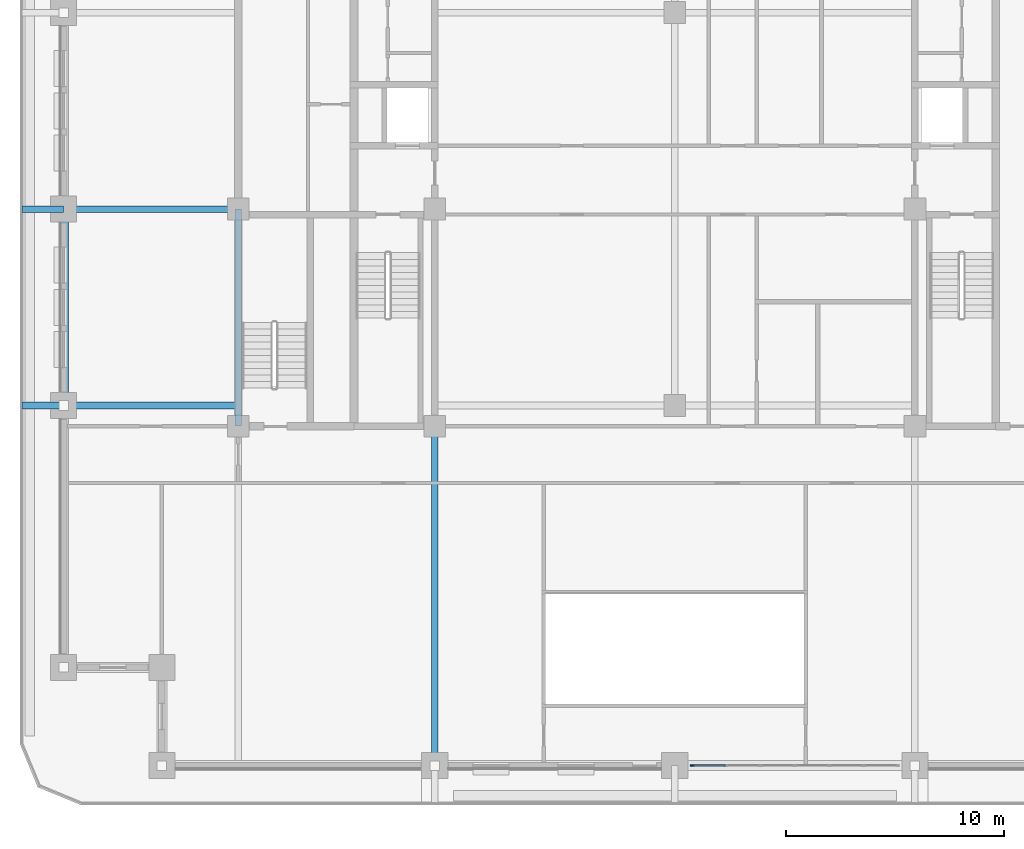
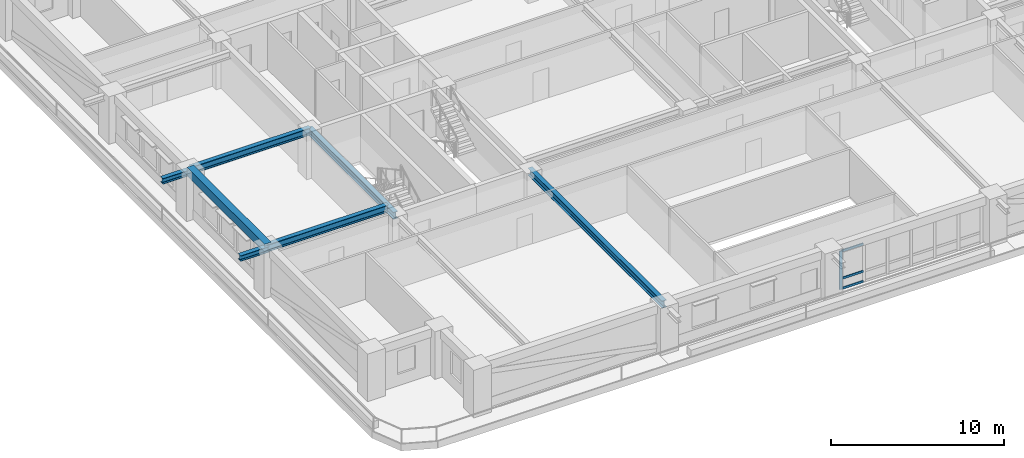
# One storey, part 2 of 20: 7 beams, 4 members, 1 element without a shape of its own.
"""IFC4 building model written with IfcOpenShell, lengths in metres."""

from ifc_helpers import new_model, si_unit, direction, frame, origin, origin_2d, place, context, subcontext, project, spatial, rectangle, i_section, extrude, material, material_profile, profile_set, type_object, element, aggregate, save


model = new_model("IFC4")

# Units and contexts
model_context = context("Model", 3, precision=1e-05, world=origin(), true_north=direction((0.0, 1.0)))
body_context = subcontext(model_context, "Body", "Model", "MODEL_VIEW")
ifc_project = project(units=[si_unit("LENGTHUNIT", "METRE"), si_unit("AREAUNIT", "SQUARE_METRE"), si_unit("VOLUMEUNIT", "CUBIC_METRE"), si_unit("PLANEANGLEUNIT", "RADIAN"), si_unit("MASSUNIT", "GRAM", prefix="KILO")], contexts=[model_context])

# Site, building, storey
site_placement = place(None, origin())
site = spatial("IfcSite", under=ifc_project, at=site_placement, CompositionType="ELEMENT")
building_placement = place(site_placement, origin())
building = spatial("IfcBuilding", under=site, at=building_placement, Name="Zulmaris Gate Convention Tower", CompositionType="ELEMENT")
storey_placement = place(building_placement, frame((0.0, 0.0, 146.33984375)))
storey = spatial("IfcBuildingStorey", under=building, at=storey_placement, Name="L37", CompositionType="ELEMENT", Elevation=146.33984375)

# Beams
ifc_material_1 = material(Name="Steel S355", Category="steel")
ifc_material_profile_1 = material_profile(ifc_material_1, i_section(OverallWidth=0.300048828125, OverallDepth=0.39990234375, WebThickness=0.013427734375, FlangeThickness=0.02392578125, FilletRadius=0.027099609375, at=origin_2d()), Name="HEB 400")
ifc_profile_set_1 = profile_set([ifc_material_profile_1], Name="Steel S355")
beam_type_1 = type_object("IfcBeamType", Name="BM-HEB400", PredefinedType="BEAM", material=ifc_profile_set_1)
for number, where, z_axis, x_axis, name in (
    (1, (-29.89990234375, -9.0, 2.97998046875), (1.0, 0.0, 0.0), (0.0, 1.0, 0.0), "L37 Beam TBRK-L37-W--9"),
    (2, (-29.89990234375, 0.0, 2.97998046875), (1.0, 0.0, 0.0), (0.0, 1.0, 0.0), "L37 Beam TBRK-L37-W-+0"),
):
    element("IfcBeam", number, at=place(storey_placement, frame(where, z_axis=z_axis, x_axis=x_axis)), inside=storey, type_object=beam_type_1, Name=name, PredefinedType="BEAM", context=body_context, shape_type="SweptSolid", body=[
        extrude(i_section(OverallWidth=0.300048828125, OverallDepth=0.39990234375, WebThickness=0.013427734375, FlangeThickness=0.02392578125, FilletRadius=0.027099609375, at=origin_2d()), origin(), (0.0, 0.0, 1.0), 1.89990234375),
    ])
ifc_material_profile_2 = material_profile(ifc_material_1, i_section(OverallWidth=0.300048828125, OverallDepth=0.5, WebThickness=0.014404296875, FlangeThickness=0.028076171875, FilletRadius=0.027099609375, at=origin_2d()), Name="HEB 500")
ifc_profile_set_2 = profile_set([ifc_material_profile_2], Name="Steel S355")
beam_type_2 = type_object("IfcBeamType", Name="BM-HEB500", PredefinedType="BEAM", material=ifc_profile_set_2)
beam_1_placement = place(storey_placement, frame((-11.0, -25.5, 3.068115234375), z_axis=(0.0, 1.0, 0.0), x_axis=(-1.0, 0.0, 0.0)))
element("IfcBeam", 3, at=beam_1_placement, inside=storey, type_object=beam_type_2, Name="L37 Beam BM-L37-G08", PredefinedType="BEAM", context=body_context, shape_type="SweptSolid", body=[
    extrude(i_section(OverallWidth=0.300048828125, OverallDepth=0.5, WebThickness=0.014404296875, FlangeThickness=0.028076171875, FilletRadius=0.027099609375, at=origin_2d()), origin(), (0.0, 0.0, 1.0), 15.550048828125),
])
for number, where, z_axis, x_axis, name in (
    (4, (-28.0, -9.0, 3.068115234375), (1.0, 0.0, 0.0), (0.0, 1.0, 0.0), "L37 Beam BM-L37-G16"),
    (5, (-28.0, 0.0, 3.068115234375), (1.0, 0.0, 0.0), (0.0, 1.0, 0.0), "L37 Beam BM-L37-G17"),
):
    element("IfcBeam", number, at=place(storey_placement, frame(where, z_axis=z_axis, x_axis=x_axis)), inside=storey, type_object=beam_type_2, Name=name, PredefinedType="BEAM", context=body_context, shape_type="SweptSolid", body=[
        extrude(i_section(OverallWidth=0.300048828125, OverallDepth=0.5, WebThickness=0.014404296875, FlangeThickness=0.028076171875, FilletRadius=0.027099609375, at=origin_2d()), origin(), (0.0, 0.0, 1.0), 8.0),
    ])
beam_2_placement = place(storey_placement, frame((-20.0, -9.949951171875, 3.068115234375), z_axis=(0.0, 1.0, 0.0), x_axis=(-1.0, 0.0, 0.0)))
element("IfcBeam", 6, at=beam_2_placement, inside=storey, type_object=beam_type_2, Name="L37 Beam BM-L37-G26", PredefinedType="BEAM", context=body_context, shape_type="SweptSolid", body=[
    extrude(i_section(OverallWidth=0.300048828125, OverallDepth=0.5, WebThickness=0.014404296875, FlangeThickness=0.028076171875, FilletRadius=0.027099609375, at=origin_2d()), origin(), (0.0, 0.0, 1.0), 9.949951171875),
])
ifc_material_2 = material(Name="Precast concrete C50/60", Category="concrete")
ifc_material_profile_3 = material_profile(ifc_material_2, rectangle(XDim=0.449951171875, YDim=0.60009765625, at=origin_2d()), Name="RC SPANDREL 450x600")
ifc_profile_set_3 = profile_set([ifc_material_profile_3], Name="Precast concrete C50/60")
beam_type_3 = type_object("IfcBeamType", Name="BM-SP450x600", PredefinedType="SPANDREL", material=ifc_profile_set_3)
beam_3_placement = place(storey_placement, frame((-28.0, 0.0, 3.02001953125), z_axis=(0.0, -1.0, 0.0), x_axis=(1.0, 0.0, 0.0)))
element("IfcBeam", 7, at=beam_3_placement, inside=storey, type_object=beam_type_3, Name="L37 Spandrel SP-L37-21", PredefinedType="SPANDREL", context=body_context, shape_type="SweptSolid", body=[
    extrude(rectangle(XDim=0.449951171875, YDim=0.60009765625, at=origin_2d()), origin(), (0.0, 0.0, 1.0), 9.0),
])

# Curtain wall, members
ifc_material_3 = material(Name="Anodised Aluminium", Category="aluminium")
curtain_wall_type = type_object("IfcCurtainWallType", Name="CW-06", PredefinedType="NOTDEFINED", material=ifc_material_3)
curtain_wall_placement = place(storey_placement, origin())
curtain_wall = element("IfcCurtainWall", 8, at=curtain_wall_placement, inside=storey, type_object=curtain_wall_type, Name="CW-06 CW06-L37-S-2_0", PredefinedType="NOTDEFINED")
ifc_material_profile_4 = material_profile(ifc_material_3, rectangle(XDim=0.074951171875, YDim=0.179931640625, at=origin_2d()), Name="ALU MULLION 75x180")
ifc_profile_set_4 = profile_set([ifc_material_profile_4], Name="Anodised Aluminium")
member_type_1 = type_object("IfcMemberType", Name="CW-06-MULL", PredefinedType="MULLION", material=ifc_profile_set_4)
member_1_placement = place(storey_placement, frame((0.797607421875, -25.5, 0.0), z_axis=(0.0, 0.0, 1.0), x_axis=(0.0, 1.0, 0.0)))
member_1 = element("IfcMember", 9, at=member_1_placement, type_object=member_type_1, Name="CW-06 mullion 1", PredefinedType="MULLION", context=body_context, shape_type="SweptSolid", body=[
    extrude(rectangle(XDim=0.074951171875, YDim=0.179931640625, at=origin_2d()), origin(), (0.0, 0.0, 1.0), 2.712158203125),
])
ifc_material_profile_5 = material_profile(ifc_material_3, rectangle(XDim=0.074951171875, YDim=0.14990234375, at=origin_2d()), Name="ALU TRANSOM 75x150")
ifc_profile_set_5 = profile_set([ifc_material_profile_5], Name="Anodised Aluminium")
member_type_2 = type_object("IfcMemberType", Name="CW-06-TRAN", PredefinedType="USERDEFINED", material=ifc_profile_set_5)
member_2_placement = place(storey_placement, frame((0.8349609375, -25.5, 0.037353515625), z_axis=(1.0, 0.0, 0.0), x_axis=(0.0, 1.0, 0.0)))
member_2 = element("IfcMember", 10, at=member_2_placement, type_object=member_type_2, Name="CW-06 transom 1.1", ObjectType="TRANSOM", PredefinedType="USERDEFINED", context=body_context, shape_type="SweptSolid", body=[
    extrude(rectangle(XDim=0.074951171875, YDim=0.14990234375, at=origin_2d()), origin(), (0.0, 0.0, 1.0), 1.467529296875),
])
member_3_placement = place(storey_placement, frame((0.8349609375, -25.5, 0.75), z_axis=(1.0, 0.0, 0.0), x_axis=(0.0, 1.0, 0.0)))
member_3 = element("IfcMember", 11, at=member_3_placement, type_object=member_type_2, Name="CW-06 transom 1.2", ObjectType="TRANSOM", PredefinedType="USERDEFINED", context=body_context, shape_type="SweptSolid", body=[
    extrude(rectangle(XDim=0.074951171875, YDim=0.14990234375, at=origin_2d()), origin(), (0.0, 0.0, 1.0), 1.467529296875),
])
member_4_placement = place(storey_placement, frame((0.8349609375, -25.5, 2.674560546875), z_axis=(1.0, 0.0, 0.0), x_axis=(0.0, 1.0, 0.0)))
member_4 = element("IfcMember", 12, at=member_4_placement, type_object=member_type_2, Name="CW-06 transom 1.3", ObjectType="TRANSOM", PredefinedType="USERDEFINED", context=body_context, shape_type="SweptSolid", body=[
    extrude(rectangle(XDim=0.074951171875, YDim=0.14990234375, at=origin_2d()), origin(), (0.0, 0.0, 1.0), 1.467529296875),
])
aggregate(curtain_wall, [member_1, member_2, member_3, member_4])

save(model, "model.ifc")
